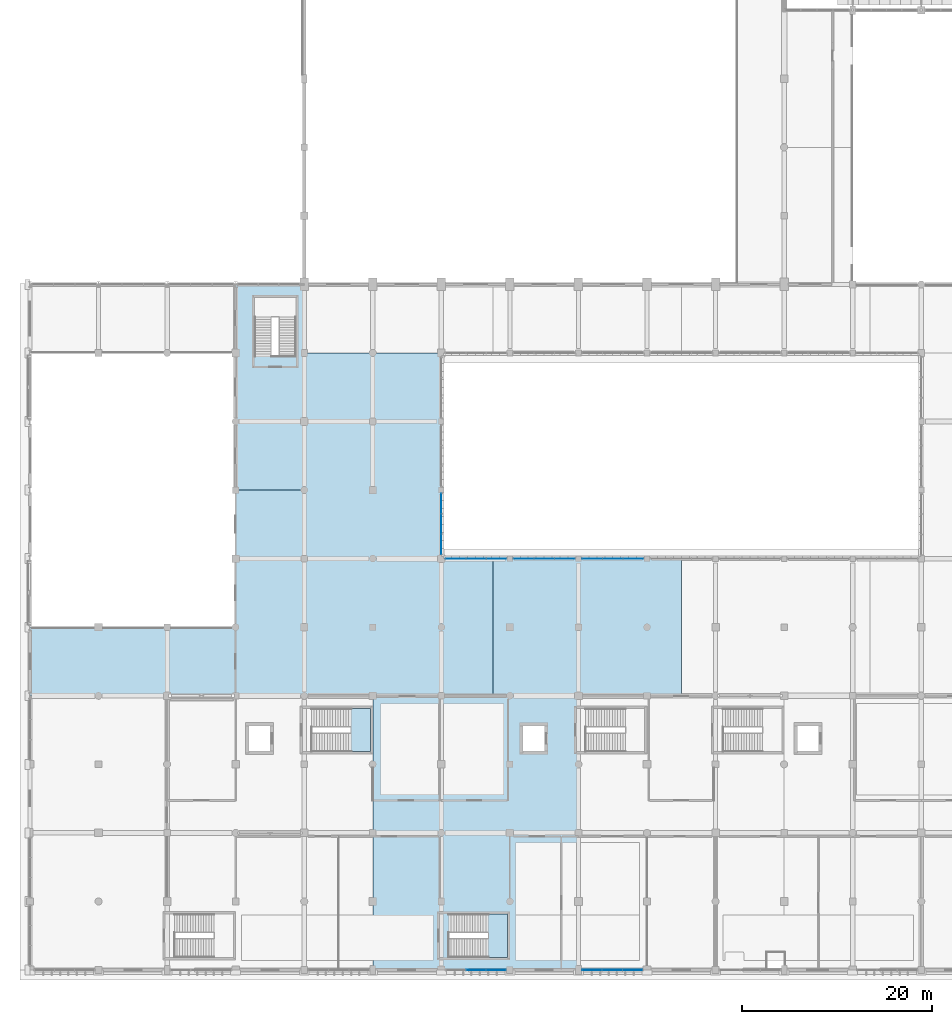
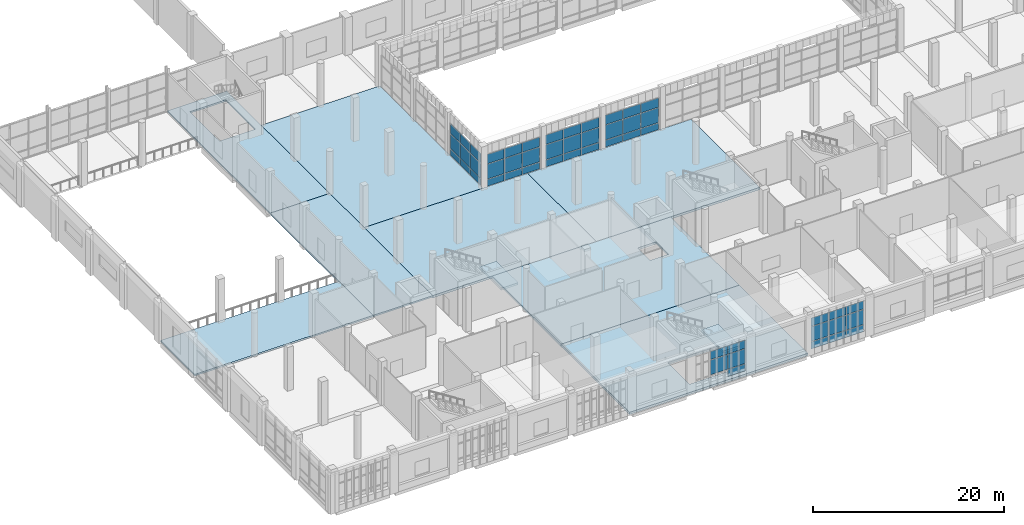
# One storey, part 36 of 80: 50 plates, 10 slabs, 8 elements without a shape of their own.
"""IFC4 building model written with IfcOpenShell, lengths in metres."""

from ifc_helpers import new_model, si_unit, direction, frame, origin, origin_2d, place, context, subcontext, project, spatial, polyline, rectangle, outline, extrude, material, layer, layer_set, type_object, element, aggregate, save


model = new_model("IFC4")

# Units and contexts
model_context = context("Model", 3, precision=1e-05, world=origin(), true_north=direction((0.0, 1.0)))
body_context = subcontext(model_context, "Body", "Model", "MODEL_VIEW")
ifc_project = project(units=[si_unit("LENGTHUNIT", "METRE"), si_unit("AREAUNIT", "SQUARE_METRE"), si_unit("VOLUMEUNIT", "CUBIC_METRE"), si_unit("PLANEANGLEUNIT", "RADIAN"), si_unit("MASSUNIT", "GRAM", prefix="KILO")], contexts=[model_context])

# Site, building, storey
site_placement = place(None, origin())
site = spatial("IfcSite", under=ifc_project, at=site_placement, CompositionType="ELEMENT")
building_placement = place(site_placement, origin())
building = spatial("IfcBuilding", under=site, at=building_placement, Name="Sardonyx Promenade Sports Hall", CompositionType="ELEMENT")
storey_placement = place(building_placement, frame((0.0, 0.0, 5.60009765625)))
storey = spatial("IfcBuildingStorey", under=building, at=storey_placement, Name="L01", CompositionType="ELEMENT", Elevation=5.60009765625)

# Curtain wall, plates
ifc_material_1 = material(Name="Aluminium 6063-T6", Category="aluminium")
curtain_wall_type_1 = type_object("IfcCurtainWallType", Name="CW_South_L01_640", PredefinedType="USERDEFINED", material=ifc_material_1)
curtain_wall_1_placement = place(storey_placement, origin())
curtain_wall_1 = element("IfcCurtainWall", 1, at=curtain_wall_1_placement, inside=storey, type_object=curtain_wall_type_1, Name="Curtain wall CW08 cw:L01:024", ObjectType="CURTAIN WALL", PredefinedType="USERDEFINED")
ifc_material_2 = material(Name="Double-glazed solar low-E IGU 28 mm", Category="glass")
ifc_layer_1 = layer(ifc_material_2, 0.028076171875)
ifc_layer_set_1 = layer_set([ifc_layer_1], Name="CW_Pan_Glz_28")
plate_type_1 = type_object("IfcPlateType", Name="CW_Pan_Glz_28", PredefinedType="CURTAIN_PANEL", material=ifc_layer_set_1)
plate_1_placement = place(storey_placement, frame((63.280029296875, 0.0, 0.419921875), z_axis=(0.0, 0.0, 1.0), x_axis=(-1.0, 0.0, 0.0)))
plate_1 = element("IfcPlate", 2, at=plate_1_placement, type_object=plate_type_1, Name="Curtain panel CP01 cw:L01:024 #1", PredefinedType="CURTAIN_PANEL", context=body_context, shape_type="SweptSolid", body=[
    extrude(rectangle(XDim=2.06005859375, YDim=0.028076171875, at=origin_2d()), origin(), (0.0, 0.0, 1.0), 0.89501953125),
])
plate_2_placement = place(storey_placement, frame((63.280029296875, 0.0, 1.385009765625), z_axis=(0.0, 0.0, 1.0), x_axis=(-1.0, 0.0, 0.0)))
plate_2 = element("IfcPlate", 3, at=plate_2_placement, type_object=plate_type_1, Name="Curtain panel CP01 cw:L01:024 #2", PredefinedType="CURTAIN_PANEL", context=body_context, shape_type="SweptSolid", body=[
    extrude(rectangle(XDim=2.06005859375, YDim=0.028076171875, at=origin_2d()), origin(), (0.0, 0.0, 1.0), 1.8798828125),
])
plate_3_placement = place(storey_placement, frame((63.280029296875, 0.0, 3.3349609375), z_axis=(0.0, 0.0, 1.0), x_axis=(-1.0, 0.0, 0.0)))
plate_3 = element("IfcPlate", 4, at=plate_3_placement, type_object=plate_type_1, Name="Curtain panel CP01 cw:L01:024 #3", PredefinedType="CURTAIN_PANEL", context=body_context, shape_type="SweptSolid", body=[
    extrude(rectangle(XDim=2.06005859375, YDim=0.028076171875, at=origin_2d()), origin(), (0.0, 0.0, 1.0), 1.044921875),
])
plate_4_placement = place(storey_placement, frame((61.14990234375, 0.0, 0.419921875), z_axis=(0.0, 0.0, 1.0), x_axis=(-1.0, 0.0, 0.0)))
plate_4 = element("IfcPlate", 5, at=plate_4_placement, type_object=plate_type_1, Name="Curtain panel CP01 cw:L01:024 #4", PredefinedType="CURTAIN_PANEL", context=body_context, shape_type="SweptSolid", body=[
    extrude(rectangle(XDim=2.06005859375, YDim=0.028076171875, at=origin_2d()), origin(), (0.0, 0.0, 1.0), 0.89501953125),
])
plate_5_placement = place(storey_placement, frame((61.14990234375, 0.0, 1.385009765625), z_axis=(0.0, 0.0, 1.0), x_axis=(-1.0, 0.0, 0.0)))
plate_5 = element("IfcPlate", 6, at=plate_5_placement, type_object=plate_type_1, Name="Curtain panel CP01 cw:L01:024 #5", PredefinedType="CURTAIN_PANEL", context=body_context, shape_type="SweptSolid", body=[
    extrude(rectangle(XDim=2.06005859375, YDim=0.028076171875, at=origin_2d()), origin(), (0.0, 0.0, 1.0), 1.8798828125),
])
plate_6_placement = place(storey_placement, frame((61.14990234375, 0.0, 3.3349609375), z_axis=(0.0, 0.0, 1.0), x_axis=(-1.0, 0.0, 0.0)))
plate_6 = element("IfcPlate", 7, at=plate_6_placement, type_object=plate_type_1, Name="Curtain panel CP01 cw:L01:024 #6", PredefinedType="CURTAIN_PANEL", context=body_context, shape_type="SweptSolid", body=[
    extrude(rectangle(XDim=2.06005859375, YDim=0.028076171875, at=origin_2d()), origin(), (0.0, 0.0, 1.0), 1.044921875),
])
plate_7_placement = place(storey_placement, frame((59.02001953125, 0.0, 0.419921875), z_axis=(0.0, 0.0, 1.0), x_axis=(-1.0, 0.0, 0.0)))
plate_7 = element("IfcPlate", 8, at=plate_7_placement, type_object=plate_type_1, Name="Curtain panel CP01 cw:L01:024 #7", PredefinedType="CURTAIN_PANEL", context=body_context, shape_type="SweptSolid", body=[
    extrude(rectangle(XDim=2.06005859375, YDim=0.028076171875, at=origin_2d()), origin(), (0.0, 0.0, 1.0), 0.89501953125),
])
plate_8_placement = place(storey_placement, frame((59.02001953125, 0.0, 1.385009765625), z_axis=(0.0, 0.0, 1.0), x_axis=(-1.0, 0.0, 0.0)))
plate_8 = element("IfcPlate", 9, at=plate_8_placement, type_object=plate_type_1, Name="Curtain panel CP01 cw:L01:024 #8", PredefinedType="CURTAIN_PANEL", context=body_context, shape_type="SweptSolid", body=[
    extrude(rectangle(XDim=2.06005859375, YDim=0.028076171875, at=origin_2d()), origin(), (0.0, 0.0, 1.0), 1.8798828125),
])
plate_9_placement = place(storey_placement, frame((59.02001953125, 0.0, 3.3349609375), z_axis=(0.0, 0.0, 1.0), x_axis=(-1.0, 0.0, 0.0)))
plate_9 = element("IfcPlate", 10, at=plate_9_placement, type_object=plate_type_1, Name="Curtain panel CP01 cw:L01:024 #9", PredefinedType="CURTAIN_PANEL", context=body_context, shape_type="SweptSolid", body=[
    extrude(rectangle(XDim=2.06005859375, YDim=0.028076171875, at=origin_2d()), origin(), (0.0, 0.0, 1.0), 1.044921875),
])
aggregate(curtain_wall_1, [plate_1, plate_2, plate_3, plate_4, plate_5, plate_6, plate_7, plate_8, plate_9])

curtain_wall_2_placement = place(storey_placement, origin())
curtain_wall_2 = element("IfcCurtainWall", 11, at=curtain_wall_2_placement, inside=storey, type_object=curtain_wall_type_1, Name="Curtain wall CW08 cw:L01:025", ObjectType="CURTAIN WALL", PredefinedType="USERDEFINED")
plate_10_placement = place(storey_placement, frame((48.938232421875, 0.0, 0.419921875), z_axis=(0.0, 0.0, 1.0), x_axis=(-1.0, 0.0, 0.0)))
plate_10 = element("IfcPlate", 12, at=plate_10_placement, type_object=plate_type_1, Name="Curtain panel CP01 cw:L01:025 #1", PredefinedType="CURTAIN_PANEL", context=body_context, shape_type="SweptSolid", body=[
    extrude(rectangle(XDim=2.043212890625, YDim=0.028076171875, at=origin_2d()), origin(), (0.0, 0.0, 1.0), 0.89501953125),
])
plate_11_placement = place(storey_placement, frame((48.938232421875, 0.0, 1.385009765625), z_axis=(0.0, 0.0, 1.0), x_axis=(-1.0, 0.0, 0.0)))
plate_11 = element("IfcPlate", 13, at=plate_11_placement, type_object=plate_type_1, Name="Curtain panel CP01 cw:L01:025 #2", PredefinedType="CURTAIN_PANEL", context=body_context, shape_type="SweptSolid", body=[
    extrude(rectangle(XDim=2.043212890625, YDim=0.028076171875, at=origin_2d()), origin(), (0.0, 0.0, 1.0), 1.8798828125),
])
plate_12_placement = place(storey_placement, frame((48.938232421875, 0.0, 3.3349609375), z_axis=(0.0, 0.0, 1.0), x_axis=(-1.0, 0.0, 0.0)))
plate_12 = element("IfcPlate", 14, at=plate_12_placement, type_object=plate_type_1, Name="Curtain panel CP01 cw:L01:025 #3", PredefinedType="CURTAIN_PANEL", context=body_context, shape_type="SweptSolid", body=[
    extrude(rectangle(XDim=2.043212890625, YDim=0.028076171875, at=origin_2d()), origin(), (0.0, 0.0, 1.0), 1.044921875),
])
plate_13_placement = place(storey_placement, frame((46.824951171875, 0.0, 1.385009765625), z_axis=(0.0, 0.0, 1.0), x_axis=(-1.0, 0.0, 0.0)))
plate_13 = element("IfcPlate", 15, at=plate_13_placement, type_object=plate_type_1, Name="Curtain panel CP01 cw:L01:025 #5", PredefinedType="CURTAIN_PANEL", context=body_context, shape_type="SweptSolid", body=[
    extrude(rectangle(XDim=2.043212890625, YDim=0.028076171875, at=origin_2d()), origin(), (0.0, 0.0, 1.0), 1.8798828125),
])
plate_14_placement = place(storey_placement, frame((46.824951171875, 0.0, 3.3349609375), z_axis=(0.0, 0.0, 1.0), x_axis=(-1.0, 0.0, 0.0)))
plate_14 = element("IfcPlate", 16, at=plate_14_placement, type_object=plate_type_1, Name="Curtain panel CP01 cw:L01:025 #6", PredefinedType="CURTAIN_PANEL", context=body_context, shape_type="SweptSolid", body=[
    extrude(rectangle(XDim=2.043212890625, YDim=0.028076171875, at=origin_2d()), origin(), (0.0, 0.0, 1.0), 1.044921875),
])
aggregate(curtain_wall_2, [plate_10, plate_11, plate_12, plate_13, plate_14])

ifc_material_3 = material(Name="Aluminium 6063-T6", Category="aluminium")
curtain_wall_type_2 = type_object("IfcCurtainWallType", Name="CW_Riwaq_L01_640", PredefinedType="USERDEFINED", material=ifc_material_3)
curtain_wall_3_placement = place(storey_placement, origin())
curtain_wall_3 = element("IfcCurtainWall", 17, at=curtain_wall_3_placement, inside=storey, type_object=curtain_wall_type_2, Name="Curtain wall CW18 cw:L01:126", ObjectType="CURTAIN WALL", PredefinedType="USERDEFINED")
ifc_material_4 = material(Name="Double-glazed acoustic IGU 32 mm", Category="glass")
ifc_layer_2 = layer(ifc_material_4, 0.031982421875)
ifc_layer_set_2 = layer_set([ifc_layer_2], Name="CW_Pan_Glz_32")
plate_type_2 = type_object("IfcPlateType", Name="CW_Pan_Glz_32", PredefinedType="CURTAIN_PANEL", material=ifc_layer_set_2)
plate_15_placement = place(storey_placement, frame((44.71826171875, 43.199951171875, 0.06494140625), z_axis=(0.0, 0.0, 1.0), x_axis=(1.0, 0.0, 0.0)))
plate_15 = element("IfcPlate", 18, at=plate_15_placement, type_object=plate_type_2, Name="Curtain panel CP02 cw:L01:126 #1", PredefinedType="CURTAIN_PANEL", context=body_context, shape_type="SweptSolid", body=[
    extrude(rectangle(XDim=2.066650390625, YDim=0.031982421875, at=origin_2d()), origin(), (0.0, 0.0, 1.0), 0.8525390625),
])
plate_16_placement = place(storey_placement, frame((44.71826171875, 43.199951171875, 0.982421875), z_axis=(0.0, 0.0, 1.0), x_axis=(1.0, 0.0, 0.0)))
plate_16 = element("IfcPlate", 19, at=plate_16_placement, type_object=plate_type_2, Name="Curtain panel CP02 cw:L01:126 #2", PredefinedType="CURTAIN_PANEL", context=body_context, shape_type="SweptSolid", body=[
    extrude(rectangle(XDim=2.066650390625, YDim=0.031982421875, at=origin_2d()), origin(), (0.0, 0.0, 1.0), 1.885009765625),
])
plate_17_placement = place(storey_placement, frame((44.71826171875, 43.199951171875, 2.9326171875), z_axis=(0.0, 0.0, 1.0), x_axis=(1.0, 0.0, 0.0)))
plate_17 = element("IfcPlate", 20, at=plate_17_placement, type_object=plate_type_2, Name="Curtain panel CP02 cw:L01:126 #3", PredefinedType="CURTAIN_PANEL", context=body_context, shape_type="SweptSolid", body=[
    extrude(rectangle(XDim=2.066650390625, YDim=0.031982421875, at=origin_2d()), origin(), (0.0, 0.0, 1.0), 1.202392578125),
])
plate_18_placement = place(storey_placement, frame((46.85009765625, 43.199951171875, 0.06494140625), z_axis=(0.0, 0.0, 1.0), x_axis=(1.0, 0.0, 0.0)))
plate_18 = element("IfcPlate", 21, at=plate_18_placement, type_object=plate_type_2, Name="Curtain panel CP02 cw:L01:126 #4", PredefinedType="CURTAIN_PANEL", context=body_context, shape_type="SweptSolid", body=[
    extrude(rectangle(XDim=2.066650390625, YDim=0.031982421875, at=origin_2d()), origin(), (0.0, 0.0, 1.0), 0.8525390625),
])
plate_19_placement = place(storey_placement, frame((46.85009765625, 43.199951171875, 0.982421875), z_axis=(0.0, 0.0, 1.0), x_axis=(1.0, 0.0, 0.0)))
plate_19 = element("IfcPlate", 22, at=plate_19_placement, type_object=plate_type_2, Name="Curtain panel CP02 cw:L01:126 #5", PredefinedType="CURTAIN_PANEL", context=body_context, shape_type="SweptSolid", body=[
    extrude(rectangle(XDim=2.066650390625, YDim=0.031982421875, at=origin_2d()), origin(), (0.0, 0.0, 1.0), 1.885009765625),
])
plate_20_placement = place(storey_placement, frame((46.85009765625, 43.199951171875, 2.9326171875), z_axis=(0.0, 0.0, 1.0), x_axis=(1.0, 0.0, 0.0)))
plate_20 = element("IfcPlate", 23, at=plate_20_placement, type_object=plate_type_2, Name="Curtain panel CP02 cw:L01:126 #6", PredefinedType="CURTAIN_PANEL", context=body_context, shape_type="SweptSolid", body=[
    extrude(rectangle(XDim=2.066650390625, YDim=0.031982421875, at=origin_2d()), origin(), (0.0, 0.0, 1.0), 1.202392578125),
])
plate_21_placement = place(storey_placement, frame((48.981689453125, 43.199951171875, 0.06494140625), z_axis=(0.0, 0.0, 1.0), x_axis=(1.0, 0.0, 0.0)))
plate_21 = element("IfcPlate", 24, at=plate_21_placement, type_object=plate_type_2, Name="Curtain panel CP02 cw:L01:126 #7", PredefinedType="CURTAIN_PANEL", context=body_context, shape_type="SweptSolid", body=[
    extrude(rectangle(XDim=2.066650390625, YDim=0.031982421875, at=origin_2d()), origin(), (0.0, 0.0, 1.0), 0.8525390625),
])
plate_22_placement = place(storey_placement, frame((48.981689453125, 43.199951171875, 0.982421875), z_axis=(0.0, 0.0, 1.0), x_axis=(1.0, 0.0, 0.0)))
plate_22 = element("IfcPlate", 25, at=plate_22_placement, type_object=plate_type_2, Name="Curtain panel CP02 cw:L01:126 #8", PredefinedType="CURTAIN_PANEL", context=body_context, shape_type="SweptSolid", body=[
    extrude(rectangle(XDim=2.066650390625, YDim=0.031982421875, at=origin_2d()), origin(), (0.0, 0.0, 1.0), 1.885009765625),
])
plate_23_placement = place(storey_placement, frame((48.981689453125, 43.199951171875, 2.9326171875), z_axis=(0.0, 0.0, 1.0), x_axis=(1.0, 0.0, 0.0)))
plate_23 = element("IfcPlate", 26, at=plate_23_placement, type_object=plate_type_2, Name="Curtain panel CP02 cw:L01:126 #9", PredefinedType="CURTAIN_PANEL", context=body_context, shape_type="SweptSolid", body=[
    extrude(rectangle(XDim=2.066650390625, YDim=0.031982421875, at=origin_2d()), origin(), (0.0, 0.0, 1.0), 1.202392578125),
])
aggregate(curtain_wall_3, [plate_15, plate_16, plate_17, plate_18, plate_19, plate_20, plate_21, plate_22, plate_23])

curtain_wall_4_placement = place(storey_placement, origin())
curtain_wall_4 = element("IfcCurtainWall", 27, at=curtain_wall_4_placement, inside=storey, type_object=curtain_wall_type_2, Name="Curtain wall CW18 cw:L01:128", ObjectType="CURTAIN WALL", PredefinedType="USERDEFINED")
plate_24_placement = place(storey_placement, frame((51.8349609375, 43.199951171875, 0.06494140625), z_axis=(0.0, 0.0, 1.0), x_axis=(1.0, 0.0, 0.0)))
plate_24 = element("IfcPlate", 28, at=plate_24_placement, type_object=plate_type_2, Name="Curtain panel CP02 cw:L01:128 #1", PredefinedType="CURTAIN_PANEL", context=body_context, shape_type="SweptSolid", body=[
    extrude(rectangle(XDim=2.10009765625, YDim=0.031982421875, at=origin_2d()), origin(), (0.0, 0.0, 1.0), 0.8525390625),
])
plate_25_placement = place(storey_placement, frame((51.8349609375, 43.199951171875, 0.982421875), z_axis=(0.0, 0.0, 1.0), x_axis=(1.0, 0.0, 0.0)))
plate_25 = element("IfcPlate", 29, at=plate_25_placement, type_object=plate_type_2, Name="Curtain panel CP02 cw:L01:128 #2", PredefinedType="CURTAIN_PANEL", context=body_context, shape_type="SweptSolid", body=[
    extrude(rectangle(XDim=2.10009765625, YDim=0.031982421875, at=origin_2d()), origin(), (0.0, 0.0, 1.0), 1.885009765625),
])
plate_26_placement = place(storey_placement, frame((51.8349609375, 43.199951171875, 2.9326171875), z_axis=(0.0, 0.0, 1.0), x_axis=(1.0, 0.0, 0.0)))
plate_26 = element("IfcPlate", 30, at=plate_26_placement, type_object=plate_type_2, Name="Curtain panel CP02 cw:L01:128 #3", PredefinedType="CURTAIN_PANEL", context=body_context, shape_type="SweptSolid", body=[
    extrude(rectangle(XDim=2.10009765625, YDim=0.031982421875, at=origin_2d()), origin(), (0.0, 0.0, 1.0), 1.202392578125),
])
plate_27_placement = place(storey_placement, frame((54.0, 43.199951171875, 0.06494140625), z_axis=(0.0, 0.0, 1.0), x_axis=(1.0, 0.0, 0.0)))
plate_27 = element("IfcPlate", 31, at=plate_27_placement, type_object=plate_type_2, Name="Curtain panel CP02 cw:L01:128 #4", PredefinedType="CURTAIN_PANEL", context=body_context, shape_type="SweptSolid", body=[
    extrude(rectangle(XDim=2.10009765625, YDim=0.031982421875, at=origin_2d()), origin(), (0.0, 0.0, 1.0), 0.8525390625),
])
plate_28_placement = place(storey_placement, frame((54.0, 43.199951171875, 0.982421875), z_axis=(0.0, 0.0, 1.0), x_axis=(1.0, 0.0, 0.0)))
plate_28 = element("IfcPlate", 32, at=plate_28_placement, type_object=plate_type_2, Name="Curtain panel CP02 cw:L01:128 #5", PredefinedType="CURTAIN_PANEL", context=body_context, shape_type="SweptSolid", body=[
    extrude(rectangle(XDim=2.10009765625, YDim=0.031982421875, at=origin_2d()), origin(), (0.0, 0.0, 1.0), 1.885009765625),
])
plate_29_placement = place(storey_placement, frame((54.0, 43.199951171875, 2.9326171875), z_axis=(0.0, 0.0, 1.0), x_axis=(1.0, 0.0, 0.0)))
plate_29 = element("IfcPlate", 33, at=plate_29_placement, type_object=plate_type_2, Name="Curtain panel CP02 cw:L01:128 #6", PredefinedType="CURTAIN_PANEL", context=body_context, shape_type="SweptSolid", body=[
    extrude(rectangle(XDim=2.10009765625, YDim=0.031982421875, at=origin_2d()), origin(), (0.0, 0.0, 1.0), 1.202392578125),
])
plate_30_placement = place(storey_placement, frame((56.1650390625, 43.199951171875, 0.06494140625), z_axis=(0.0, 0.0, 1.0), x_axis=(1.0, 0.0, 0.0)))
plate_30 = element("IfcPlate", 34, at=plate_30_placement, type_object=plate_type_2, Name="Curtain panel CP02 cw:L01:128 #7", PredefinedType="CURTAIN_PANEL", context=body_context, shape_type="SweptSolid", body=[
    extrude(rectangle(XDim=2.10009765625, YDim=0.031982421875, at=origin_2d()), origin(), (0.0, 0.0, 1.0), 0.8525390625),
])
plate_31_placement = place(storey_placement, frame((56.1650390625, 43.199951171875, 0.982421875), z_axis=(0.0, 0.0, 1.0), x_axis=(1.0, 0.0, 0.0)))
plate_31 = element("IfcPlate", 35, at=plate_31_placement, type_object=plate_type_2, Name="Curtain panel CP02 cw:L01:128 #8", PredefinedType="CURTAIN_PANEL", context=body_context, shape_type="SweptSolid", body=[
    extrude(rectangle(XDim=2.10009765625, YDim=0.031982421875, at=origin_2d()), origin(), (0.0, 0.0, 1.0), 1.885009765625),
])
plate_32_placement = place(storey_placement, frame((56.1650390625, 43.199951171875, 2.9326171875), z_axis=(0.0, 0.0, 1.0), x_axis=(1.0, 0.0, 0.0)))
plate_32 = element("IfcPlate", 36, at=plate_32_placement, type_object=plate_type_2, Name="Curtain panel CP02 cw:L01:128 #9", PredefinedType="CURTAIN_PANEL", context=body_context, shape_type="SweptSolid", body=[
    extrude(rectangle(XDim=2.10009765625, YDim=0.031982421875, at=origin_2d()), origin(), (0.0, 0.0, 1.0), 1.202392578125),
])
aggregate(curtain_wall_4, [plate_24, plate_25, plate_26, plate_27, plate_28, plate_29, plate_30, plate_31, plate_32])

curtain_wall_5_placement = place(storey_placement, origin())
curtain_wall_5 = element("IfcCurtainWall", 37, at=curtain_wall_5_placement, inside=storey, type_object=curtain_wall_type_2, Name="Curtain wall CW18 cw:L01:130", ObjectType="CURTAIN WALL", PredefinedType="USERDEFINED")
plate_33_placement = place(storey_placement, frame((59.034912109375, 43.199951171875, 0.06494140625), z_axis=(0.0, 0.0, 1.0), x_axis=(1.0, 0.0, 0.0)))
plate_33 = element("IfcPlate", 38, at=plate_33_placement, type_object=plate_type_2, Name="Curtain panel CP02 cw:L01:130 #1", PredefinedType="CURTAIN_PANEL", context=body_context, shape_type="SweptSolid", body=[
    extrude(rectangle(XDim=2.10009765625, YDim=0.031982421875, at=origin_2d()), origin(), (0.0, 0.0, 1.0), 0.8525390625),
])
plate_34_placement = place(storey_placement, frame((59.034912109375, 43.199951171875, 0.982421875), z_axis=(0.0, 0.0, 1.0), x_axis=(1.0, 0.0, 0.0)))
plate_34 = element("IfcPlate", 39, at=plate_34_placement, type_object=plate_type_2, Name="Curtain panel CP02 cw:L01:130 #2", PredefinedType="CURTAIN_PANEL", context=body_context, shape_type="SweptSolid", body=[
    extrude(rectangle(XDim=2.10009765625, YDim=0.031982421875, at=origin_2d()), origin(), (0.0, 0.0, 1.0), 1.885009765625),
])
plate_35_placement = place(storey_placement, frame((59.034912109375, 43.199951171875, 2.9326171875), z_axis=(0.0, 0.0, 1.0), x_axis=(1.0, 0.0, 0.0)))
plate_35 = element("IfcPlate", 40, at=plate_35_placement, type_object=plate_type_2, Name="Curtain panel CP02 cw:L01:130 #3", PredefinedType="CURTAIN_PANEL", context=body_context, shape_type="SweptSolid", body=[
    extrude(rectangle(XDim=2.10009765625, YDim=0.031982421875, at=origin_2d()), origin(), (0.0, 0.0, 1.0), 1.202392578125),
])
plate_36_placement = place(storey_placement, frame((61.199951171875, 43.199951171875, 0.06494140625), z_axis=(0.0, 0.0, 1.0), x_axis=(1.0, 0.0, 0.0)))
plate_36 = element("IfcPlate", 41, at=plate_36_placement, type_object=plate_type_2, Name="Curtain panel CP02 cw:L01:130 #4", PredefinedType="CURTAIN_PANEL", context=body_context, shape_type="SweptSolid", body=[
    extrude(rectangle(XDim=2.10009765625, YDim=0.031982421875, at=origin_2d()), origin(), (0.0, 0.0, 1.0), 0.8525390625),
])
plate_37_placement = place(storey_placement, frame((61.199951171875, 43.199951171875, 0.982421875), z_axis=(0.0, 0.0, 1.0), x_axis=(1.0, 0.0, 0.0)))
plate_37 = element("IfcPlate", 42, at=plate_37_placement, type_object=plate_type_2, Name="Curtain panel CP02 cw:L01:130 #5", PredefinedType="CURTAIN_PANEL", context=body_context, shape_type="SweptSolid", body=[
    extrude(rectangle(XDim=2.10009765625, YDim=0.031982421875, at=origin_2d()), origin(), (0.0, 0.0, 1.0), 1.885009765625),
])
plate_38_placement = place(storey_placement, frame((61.199951171875, 43.199951171875, 2.9326171875), z_axis=(0.0, 0.0, 1.0), x_axis=(1.0, 0.0, 0.0)))
plate_38 = element("IfcPlate", 43, at=plate_38_placement, type_object=plate_type_2, Name="Curtain panel CP02 cw:L01:130 #6", PredefinedType="CURTAIN_PANEL", context=body_context, shape_type="SweptSolid", body=[
    extrude(rectangle(XDim=2.10009765625, YDim=0.031982421875, at=origin_2d()), origin(), (0.0, 0.0, 1.0), 1.202392578125),
])
plate_39_placement = place(storey_placement, frame((63.364990234375, 43.199951171875, 0.06494140625), z_axis=(0.0, 0.0, 1.0), x_axis=(1.0, 0.0, 0.0)))
plate_39 = element("IfcPlate", 44, at=plate_39_placement, type_object=plate_type_2, Name="Curtain panel CP02 cw:L01:130 #7", PredefinedType="CURTAIN_PANEL", context=body_context, shape_type="SweptSolid", body=[
    extrude(rectangle(XDim=2.10009765625, YDim=0.031982421875, at=origin_2d()), origin(), (0.0, 0.0, 1.0), 0.8525390625),
])
plate_40_placement = place(storey_placement, frame((63.364990234375, 43.199951171875, 0.982421875), z_axis=(0.0, 0.0, 1.0), x_axis=(1.0, 0.0, 0.0)))
plate_40 = element("IfcPlate", 45, at=plate_40_placement, type_object=plate_type_2, Name="Curtain panel CP02 cw:L01:130 #8", PredefinedType="CURTAIN_PANEL", context=body_context, shape_type="SweptSolid", body=[
    extrude(rectangle(XDim=2.10009765625, YDim=0.031982421875, at=origin_2d()), origin(), (0.0, 0.0, 1.0), 1.885009765625),
])
plate_41_placement = place(storey_placement, frame((63.364990234375, 43.199951171875, 2.9326171875), z_axis=(0.0, 0.0, 1.0), x_axis=(1.0, 0.0, 0.0)))
plate_41 = element("IfcPlate", 46, at=plate_41_placement, type_object=plate_type_2, Name="Curtain panel CP02 cw:L01:130 #9", PredefinedType="CURTAIN_PANEL", context=body_context, shape_type="SweptSolid", body=[
    extrude(rectangle(XDim=2.10009765625, YDim=0.031982421875, at=origin_2d()), origin(), (0.0, 0.0, 1.0), 1.202392578125),
])
aggregate(curtain_wall_5, [plate_33, plate_34, plate_35, plate_36, plate_37, plate_38, plate_39, plate_40, plate_41])

curtain_wall_6_placement = place(storey_placement, origin())
curtain_wall_6 = element("IfcCurtainWall", 47, at=curtain_wall_6_placement, inside=storey, type_object=curtain_wall_type_2, Name="Curtain wall CW18 cw:L01:140", ObjectType="CURTAIN WALL", PredefinedType="USERDEFINED")
plate_42_placement = place(storey_placement, frame((43.199951171875, 48.981689453125, 0.06494140625), z_axis=(0.0, 0.0, 1.0), x_axis=(0.0, -1.0, 0.0)))
plate_42 = element("IfcPlate", 48, at=plate_42_placement, type_object=plate_type_2, Name="Curtain panel CP02 cw:L01:140 #1", PredefinedType="CURTAIN_PANEL", context=body_context, shape_type="SweptSolid", body=[
    extrude(rectangle(XDim=2.066650390625, YDim=0.031982421875, at=origin_2d()), origin(), (0.0, 0.0, 1.0), 0.8525390625),
])
plate_43_placement = place(storey_placement, frame((43.199951171875, 48.981689453125, 0.982421875), z_axis=(0.0, 0.0, 1.0), x_axis=(0.0, -1.0, 0.0)))
plate_43 = element("IfcPlate", 49, at=plate_43_placement, type_object=plate_type_2, Name="Curtain panel CP02 cw:L01:140 #2", PredefinedType="CURTAIN_PANEL", context=body_context, shape_type="SweptSolid", body=[
    extrude(rectangle(XDim=2.066650390625, YDim=0.031982421875, at=origin_2d()), origin(), (0.0, 0.0, 1.0), 1.885009765625),
])
plate_44_placement = place(storey_placement, frame((43.199951171875, 48.981689453125, 2.9326171875), z_axis=(0.0, 0.0, 1.0), x_axis=(0.0, -1.0, 0.0)))
plate_44 = element("IfcPlate", 50, at=plate_44_placement, type_object=plate_type_2, Name="Curtain panel CP02 cw:L01:140 #3", PredefinedType="CURTAIN_PANEL", context=body_context, shape_type="SweptSolid", body=[
    extrude(rectangle(XDim=2.066650390625, YDim=0.031982421875, at=origin_2d()), origin(), (0.0, 0.0, 1.0), 1.202392578125),
])
plate_45_placement = place(storey_placement, frame((43.199951171875, 46.85009765625, 0.06494140625), z_axis=(0.0, 0.0, 1.0), x_axis=(0.0, -1.0, 0.0)))
plate_45 = element("IfcPlate", 51, at=plate_45_placement, type_object=plate_type_2, Name="Curtain panel CP02 cw:L01:140 #4", PredefinedType="CURTAIN_PANEL", context=body_context, shape_type="SweptSolid", body=[
    extrude(rectangle(XDim=2.066650390625, YDim=0.031982421875, at=origin_2d()), origin(), (0.0, 0.0, 1.0), 0.8525390625),
])
plate_46_placement = place(storey_placement, frame((43.199951171875, 46.85009765625, 0.982421875), z_axis=(0.0, 0.0, 1.0), x_axis=(0.0, -1.0, 0.0)))
plate_46 = element("IfcPlate", 52, at=plate_46_placement, type_object=plate_type_2, Name="Curtain panel CP02 cw:L01:140 #5", PredefinedType="CURTAIN_PANEL", context=body_context, shape_type="SweptSolid", body=[
    extrude(rectangle(XDim=2.066650390625, YDim=0.031982421875, at=origin_2d()), origin(), (0.0, 0.0, 1.0), 1.885009765625),
])
plate_47_placement = place(storey_placement, frame((43.199951171875, 46.85009765625, 2.9326171875), z_axis=(0.0, 0.0, 1.0), x_axis=(0.0, -1.0, 0.0)))
plate_47 = element("IfcPlate", 53, at=plate_47_placement, type_object=plate_type_2, Name="Curtain panel CP02 cw:L01:140 #6", PredefinedType="CURTAIN_PANEL", context=body_context, shape_type="SweptSolid", body=[
    extrude(rectangle(XDim=2.066650390625, YDim=0.031982421875, at=origin_2d()), origin(), (0.0, 0.0, 1.0), 1.202392578125),
])
plate_48_placement = place(storey_placement, frame((43.199951171875, 44.71826171875, 0.06494140625), z_axis=(0.0, 0.0, 1.0), x_axis=(0.0, -1.0, 0.0)))
plate_48 = element("IfcPlate", 54, at=plate_48_placement, type_object=plate_type_2, Name="Curtain panel CP02 cw:L01:140 #7", PredefinedType="CURTAIN_PANEL", context=body_context, shape_type="SweptSolid", body=[
    extrude(rectangle(XDim=2.066650390625, YDim=0.031982421875, at=origin_2d()), origin(), (0.0, 0.0, 1.0), 0.8525390625),
])
plate_49_placement = place(storey_placement, frame((43.199951171875, 44.71826171875, 0.982421875), z_axis=(0.0, 0.0, 1.0), x_axis=(0.0, -1.0, 0.0)))
plate_49 = element("IfcPlate", 55, at=plate_49_placement, type_object=plate_type_2, Name="Curtain panel CP02 cw:L01:140 #8", PredefinedType="CURTAIN_PANEL", context=body_context, shape_type="SweptSolid", body=[
    extrude(rectangle(XDim=2.066650390625, YDim=0.031982421875, at=origin_2d()), origin(), (0.0, 0.0, 1.0), 1.885009765625),
])
plate_50_placement = place(storey_placement, frame((43.199951171875, 44.71826171875, 2.9326171875), z_axis=(0.0, 0.0, 1.0), x_axis=(0.0, -1.0, 0.0)))
plate_50 = element("IfcPlate", 56, at=plate_50_placement, type_object=plate_type_2, Name="Curtain panel CP02 cw:L01:140 #9", PredefinedType="CURTAIN_PANEL", context=body_context, shape_type="SweptSolid", body=[
    extrude(rectangle(XDim=2.066650390625, YDim=0.031982421875, at=origin_2d()), origin(), (0.0, 0.0, 1.0), 1.202392578125),
])
aggregate(curtain_wall_6, [plate_42, plate_43, plate_44, plate_45, plate_46, plate_47, plate_48, plate_49, plate_50])

# Stair, slab
ifc_material_5 = material(Name="Concrete C40/50", Category="concrete")
stair_type = type_object("IfcStairType", Name="Stair_Esc_Std_560", PredefinedType="HALF_TURN_STAIR", material=ifc_material_5)
stair_1_placement = place(storey_placement, origin())
stair_1 = element("IfcStair", 57, at=stair_1_placement, inside=storey, type_object=stair_type, Name="Protected escape stair ST1 (L01 to L02)", PredefinedType="HALF_TURN_STAIR")
ifc_material_6 = material(Name="Concrete C40/50", Category="concrete")
ifc_layer_3 = layer(ifc_material_6, 0.260009765625)
ifc_layer_set_3 = layer_set([ifc_layer_3], Name="Land_Stair_260")
slab_type_1 = type_object("IfcSlabType", Name="Land_Stair_260", PredefinedType="LANDING", material=ifc_layer_set_3)
slab_1_placement = place(storey_placement, frame((0.0, 0.0, 2.539794921875)))
slab_1 = element("IfcSlab", 58, at=slab_1_placement, type_object=slab_type_1, Name="Stair half-landing ST1 L01", PredefinedType="LANDING", context=body_context, shape_type="SweptSolid", body=[
    extrude(outline(polyline([(33.68994140625, 22.925048828125), (35.75, 22.925048828125), (35.75, 27.47509765625), (33.68994140625, 27.47509765625), (33.68994140625, 22.925048828125)])), origin(), (0.0, 0.0, 1.0), 0.260009765625),
])
aggregate(stair_1, [slab_1])

stair_2_placement = place(storey_placement, origin())
stair_2 = element("IfcStair", 59, at=stair_2_placement, inside=storey, type_object=stair_type, Name="Protected escape stair ST6 (L01 to L02)", PredefinedType="HALF_TURN_STAIR")
slab_2_placement = place(storey_placement, frame((0.0, 0.0, 2.539794921875)))
slab_2 = element("IfcSlab", 60, at=slab_2_placement, type_object=slab_type_1, Name="Stair half-landing ST6 L01", PredefinedType="LANDING", context=body_context, shape_type="SweptSolid", body=[
    extrude(outline(polyline([(48.090087890625, 1.324951171875), (50.14990234375, 1.324951171875), (50.14990234375, 5.875), (48.090087890625, 5.875), (48.090087890625, 1.324951171875)])), origin(), (0.0, 0.0, 1.0), 0.260009765625),
])
aggregate(stair_2, [slab_2])

# Slabs
ifc_material_7 = material(Name="Concrete C40/50", Category="concrete")
ifc_layer_4 = layer(ifc_material_7, 0.2900390625)
ifc_layer_set_4 = layer_set([ifc_layer_4], Name="Slab_Ext_Loggia_220")
slab_type_2 = type_object("IfcSlabType", Name="Slab_Ext_Loggia_220", PredefinedType="FLOOR", material=ifc_layer_set_4)
slab_3_placement = place(storey_placement, frame((0.0, 0.0, -0.2900390625)))
element("IfcSlab", 61, at=slab_3_placement, inside=storey, type_object=slab_type_2, Name="Slab TS03 L01 #137", PredefinedType="FLOOR", context=body_context, shape_type="SweptSolid", body=[
    extrude(outline(polyline([(28.800048828125, 28.800048828125), (48.60009765625, 28.800048828125), (48.60009765625, 43.199951171875), (28.800048828125, 43.199951171875), (28.800048828125, 28.800048828125)])), origin(), (0.0, 0.0, 1.0), 0.2900390625),
])
slab_4_placement = place(storey_placement, frame((0.0, 0.0, -0.2900390625)))
element("IfcSlab", 62, at=slab_4_placement, inside=storey, type_object=slab_type_2, Name="Slab TS03 L01 #138", PredefinedType="FLOOR", context=body_context, shape_type="SweptSolid", body=[
    extrude(outline(polyline([(48.60009765625, 28.800048828125), (68.39990234375, 28.800048828125), (68.39990234375, 43.199951171875), (48.60009765625, 43.199951171875), (48.60009765625, 28.800048828125)])), origin(), (0.0, 0.0, 1.0), 0.2900390625),
])
slab_5_placement = place(storey_placement, frame((0.0, 0.0, -0.2900390625)))
element("IfcSlab", 63, at=slab_5_placement, inside=storey, type_object=slab_type_2, Name="Slab TS03 L01 #145", PredefinedType="FLOOR", context=body_context, shape_type="SweptSolid", body=[
    extrude(outline(polyline([(28.800048828125, 43.199951171875), (43.199951171875, 43.199951171875), (43.199951171875, 64.800048828125), (28.800048828125, 64.800048828125), (28.800048828125, 43.199951171875)])), origin(), (0.0, 0.0, 1.0), 0.2900390625),
])
ifc_material_8 = material(Name="Concrete C40/50", Category="concrete")
ifc_layer_5 = layer(ifc_material_8, 0.280029296875)
ifc_layer_set_5 = layer_set([ifc_layer_5], Name="Slab_Floor_Clinic_280")
slab_type_3 = type_object("IfcSlabType", Name="Slab_Floor_Clinic_280", PredefinedType="FLOOR", material=ifc_layer_set_5)
slab_6_placement = place(storey_placement, frame((0.0, 0.0, -0.280029296875)))
element("IfcSlab", 64, at=slab_6_placement, inside=storey, type_object=slab_type_3, Name="Slab FS02 L01 #127", PredefinedType="FLOOR", context=body_context, shape_type="SweptSolid", body=[
    extrude(outline(polyline([(36.0, 14.39990234375), (36.0, 0.0), (57.60009765625, 0.0), (57.60009765625, 14.39990234375), (36.0, 14.39990234375)]), holes=[polyline([(50.14990234375, 5.875), (50.14990234375, 1.324951171875), (44.010009765625, 1.324951171875), (44.010009765625, 5.875), (50.14990234375, 5.875)])]), origin(), (0.0, 0.0, 1.0), 0.280029296875),
])
slab_7_placement = place(storey_placement, frame((0.0, 0.0, -0.280029296875)))
element("IfcSlab", 65, at=slab_7_placement, inside=storey, type_object=slab_type_3, Name="Slab FS02 L01 #128", PredefinedType="FLOOR", context=body_context, shape_type="SweptSolid", body=[
    extrude(outline(polyline([(36.0, 28.800048828125), (36.0, 14.39990234375), (57.60009765625, 14.39990234375), (57.60009765625, 28.800048828125), (36.0, 28.800048828125)]), holes=[polyline([(51.7900390625, 25.610107421875), (54.010009765625, 25.610107421875), (54.010009765625, 22.989990234375), (51.7900390625, 22.989990234375), (51.7900390625, 25.610107421875)])]), origin(), (0.0, 0.0, 1.0), 0.280029296875),
])
ifc_material_9 = material(Name="Concrete C40/50", Category="concrete")
ifc_layer_6 = layer(ifc_material_9, 0.199951171875)
ifc_layer_set_6 = layer_set([ifc_layer_6], Name="Slab_Floor_Mezz_200")
slab_type_4 = type_object("IfcSlabType", Name="Slab_Floor_Mezz_200", PredefinedType="FLOOR", material=ifc_layer_set_6)
slab_8_placement = place(storey_placement, frame((0.0, 0.0, -0.2001953125)))
element("IfcSlab", 66, at=slab_8_placement, inside=storey, type_object=slab_type_4, Name="Slab FS05 L01 #117", PredefinedType="FLOOR", context=body_context, shape_type="SweptSolid", body=[
    extrude(outline(polyline([(21.60009765625, 28.800048828125), (28.800048828125, 28.800048828125), (28.800048828125, 50.39990234375), (21.60009765625, 50.39990234375), (21.60009765625, 28.800048828125)])), origin(), (0.0, 0.0, 1.0), 0.2001953125),
])
slab_9_placement = place(storey_placement, frame((0.0, 0.0, -0.2001953125)))
element("IfcSlab", 67, at=slab_9_placement, inside=storey, type_object=slab_type_4, Name="Slab FS05 L01 #118", PredefinedType="FLOOR", context=body_context, shape_type="SweptSolid", body=[
    extrude(outline(polyline([(21.60009765625, 72.0), (21.60009765625, 50.39990234375), (28.800048828125, 50.39990234375), (28.800048828125, 72.0), (21.60009765625, 72.0)]), holes=[polyline([(27.925048828125, 70.64990234375), (27.925048828125, 64.4599609375), (23.574951171875, 64.4599609375), (23.574951171875, 70.64990234375), (27.925048828125, 70.64990234375)])]), origin(), (0.0, 0.0, 1.0), 0.2001953125),
])
slab_10_placement = place(storey_placement, frame((0.0, 0.0, -0.2001953125)))
element("IfcSlab", 68, at=slab_10_placement, inside=storey, type_object=slab_type_4, Name="Slab FS05 L01 #119", PredefinedType="FLOOR", context=body_context, shape_type="SweptSolid", body=[
    extrude(outline(polyline([(0.0, 28.800048828125), (21.60009765625, 28.800048828125), (21.60009765625, 36.0), (0.0, 36.0), (0.0, 28.800048828125)])), origin(), (0.0, 0.0, 1.0), 0.2001953125),
])

save(model, "model.ifc")
